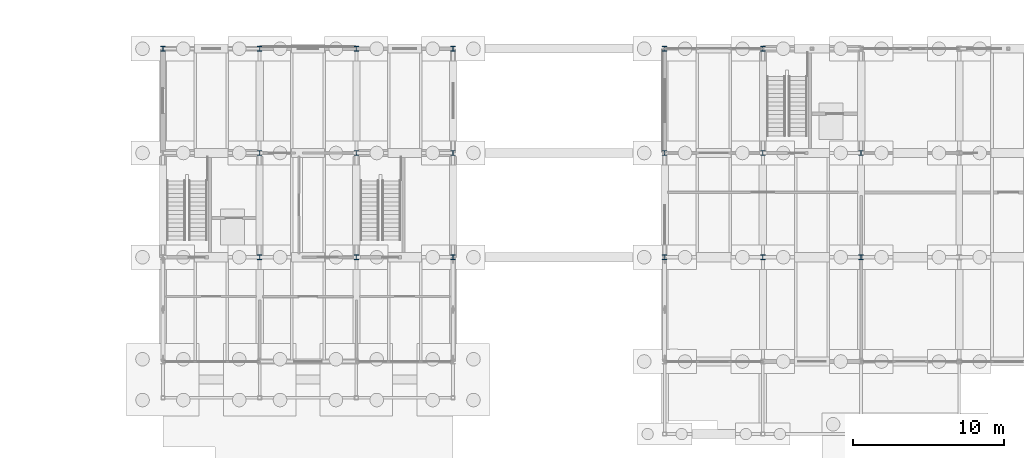
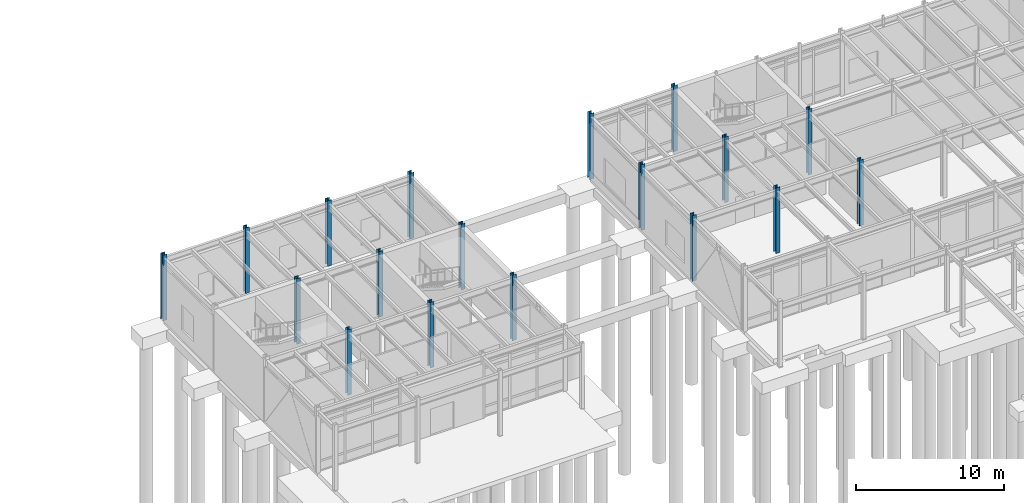
# One storey, part 22 of 82: 18 columns.
"""IFC4 building model written with IfcOpenShell, lengths in metres."""

from ifc_helpers import new_model, si_unit, direction, frame, origin, origin_2d, place, context, subcontext, project, spatial, i_section, extrude, material, material_profile, profile_set, type_object, element, save


model = new_model("IFC4")

# Units and contexts
model_context = context("Model", 3, precision=1e-05, world=origin(), true_north=direction((0.0, 1.0)))
body_context = subcontext(model_context, "Body", "Model", "MODEL_VIEW")
ifc_project = project(units=[si_unit("LENGTHUNIT", "METRE"), si_unit("AREAUNIT", "SQUARE_METRE"), si_unit("VOLUMEUNIT", "CUBIC_METRE"), si_unit("PLANEANGLEUNIT", "RADIAN"), si_unit("MASSUNIT", "GRAM", prefix="KILO")], contexts=[model_context])

# Site, building, storey
site_placement = place(None, origin())
site = spatial("IfcSite", under=ifc_project, at=site_placement, CompositionType="ELEMENT")
building_placement = place(site_placement, origin())
building = spatial("IfcBuilding", under=site, at=building_placement, Name="Trelmorton Wharf Fire Station", CompositionType="ELEMENT")
storey_placement = place(building_placement, origin())
storey = spatial("IfcBuildingStorey", under=building, at=storey_placement, Name="L00", CompositionType="ELEMENT", Elevation=0.0)

# Columns
ifc_material = material(Name="Steel Grade 350", Category="steel")
ifc_material_profile = material_profile(ifc_material, i_section(OverallWidth=0.31103515625, OverallDepth=0.326904296875, WebThickness=0.015625, FlangeThickness=0.02490234375, FilletRadius=0.0166015625, at=origin_2d()), Name="310UC158")
ifc_profile_set = profile_set([ifc_material_profile], Name="Steel Grade 350")
column_type = type_object("IfcColumnType", Name="COL_310UC158", PredefinedType="COLUMN", material=ifc_profile_set)
for number, where, z_axis, x_axis, name in (
    (1, (70.800048828125, 81.0, 0.0), (0.0, 0.0, 1.0), (1.0, 0.0, 0.0), "COL-L00-0115"),
    (2, (77.199951171875, 67.199951171875, 0.0), (0.0, 0.0, 1.0), (1.0, 0.0, 0.0), "COL-L00-0122"),
    (3, (77.199951171875, 74.10009765625, 0.0), (0.0, 0.0, 1.0), (1.0, 0.0, 0.0), "COL-L00-0123"),
    (4, (77.199951171875, 81.0, 0.0), (0.0, 0.0, 1.0), (1.0, 0.0, 0.0), "COL-L00-0124"),
    (5, (83.60009765625, 67.199951171875, 0.0), (0.0, 0.0, 1.0), (1.0, 0.0, 0.0), "COL-L00-0132"),
    (6, (83.60009765625, 74.10009765625, 0.0), (0.0, 0.0, 1.0), (1.0, 0.0, 0.0), "COL-L00-0133"),
    (7, (83.60009765625, 81.0, 0.0), (0.0, 0.0, 1.0), (1.0, 0.0, 0.0), "COL-L00-0134"),
    (8, (90.0, 67.199951171875, 0.0), (0.0, 0.0, 1.0), (1.0, 0.0, 0.0), "COL-L00-0139"),
    (9, (90.0, 74.10009765625, 0.0), (0.0, 0.0, 1.0), (1.0, 0.0, 0.0), "COL-L00-0140"),
    (10, (90.0, 81.0, 0.0), (0.0, 0.0, 1.0), (1.0, 0.0, 0.0), "COL-L00-0141"),
    (11, (104.0, 67.199951171875, 0.0), (0.0, 0.0, 1.0), (1.0, 0.0, 0.0), "COL-L00-0153"),
    (12, (104.0, 74.10009765625, 0.0), (0.0, 0.0, 1.0), (1.0, 0.0, 0.0), "COL-L00-0154"),
    (13, (104.0, 81.0, 0.0), (0.0, 0.0, 1.0), (1.0, 0.0, 0.0), "COL-L00-0155"),
    (14, (110.5, 67.199951171875, 0.0), (0.0, 0.0, 1.0), (1.0, 0.0, 0.0), "COL-L00-0163"),
    (15, (110.5, 74.10009765625, 0.0), (0.0, 0.0, 1.0), (1.0, 0.0, 0.0), "COL-L00-0164"),
    (16, (110.5, 81.0, 0.0), (0.0, 0.0, 1.0), (1.0, 0.0, 0.0), "COL-L00-0165"),
    (17, (117.0, 67.199951171875, 0.0), (0.0, 0.0, 1.0), (1.0, 0.0, 0.0), "COL-L00-0176"),
    (18, (117.0, 74.10009765625, 0.0), (0.0, 0.0, 1.0), (1.0, 0.0, 0.0), "COL-L00-0177"),
):
    element("IfcColumn", number, at=place(storey_placement, frame(where, z_axis=z_axis, x_axis=x_axis)), inside=storey, type_object=column_type, Name=name, PredefinedType="COLUMN", context=body_context, shape_type="SweptSolid", body=[
        extrude(i_section(OverallWidth=0.31103515625, OverallDepth=0.326904296875, WebThickness=0.015625, FlangeThickness=0.02490234375, FilletRadius=0.0166015625, at=origin_2d()), origin(), (0.0, 0.0, 1.0), 5.39990234375),
    ])

save(model, "model.ifc")
